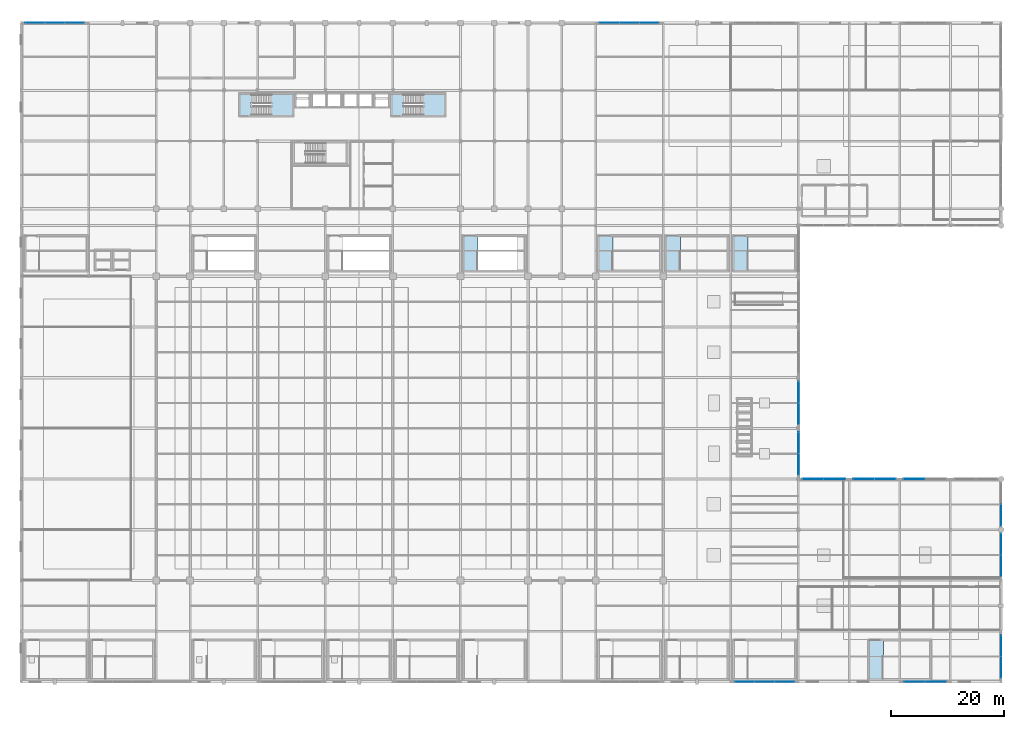
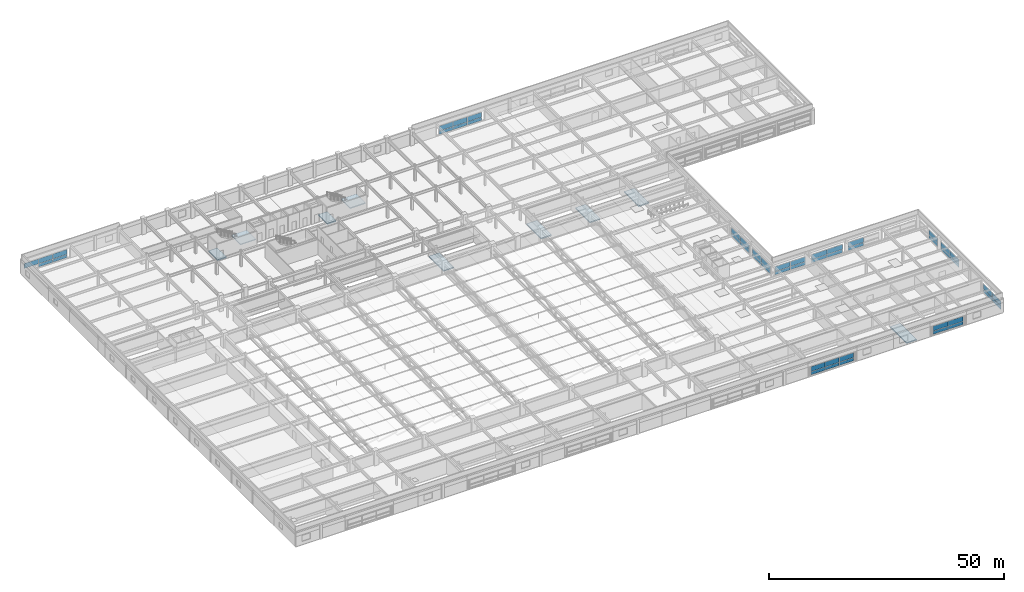
# One storey, part 86 of 108: 49 plates, 9 slabs, 14 elements without a shape of their own.
"""IFC4 building model written with IfcOpenShell, lengths in metres."""

from ifc_helpers import new_model, si_unit, direction, frame, origin, origin_2d, place, context, subcontext, project, spatial, polyline, rectangle, outline, extrude, material, layer, layer_set, type_object, element, aggregate, save


model = new_model("IFC4")

# Units and contexts
model_context = context("Model", 3, precision=1e-05, world=origin(), true_north=direction((0.0, 1.0)))
body_context = subcontext(model_context, "Body", "Model", "MODEL_VIEW")
ifc_project = project(units=[si_unit("LENGTHUNIT", "METRE"), si_unit("AREAUNIT", "SQUARE_METRE"), si_unit("VOLUMEUNIT", "CUBIC_METRE"), si_unit("PLANEANGLEUNIT", "RADIAN"), si_unit("MASSUNIT", "GRAM", prefix="KILO")], contexts=[model_context])

# Site, building, storey
site_placement = place(None, origin())
site = spatial("IfcSite", under=ifc_project, at=site_placement, CompositionType="ELEMENT")
building_placement = place(site_placement, origin())
building = spatial("IfcBuilding", under=site, at=building_placement, Name="Kaldorvane Square Convention Centre", CompositionType="ELEMENT")
storey_placement = place(building_placement, frame((0.0, 0.0, 23.399993896484375)))
storey = spatial("IfcBuildingStorey", under=building, at=storey_placement, Name="L04", CompositionType="ELEMENT", Elevation=23.399993896484375)

# Curtain wall, plates
ifc_material_1 = material(Name="Anodized Aluminum and Low-E Insulated Glazing", Category="aluminium")
curtain_wall_type_1 = type_object("IfcCurtainWallType", Name="CW-UNI-P42-09", PredefinedType="USERDEFINED", material=ifc_material_1)
curtain_wall_1_placement = place(storey_placement, origin())
curtain_wall_1 = element("IfcCurtainWall", 1, at=curtain_wall_1_placement, inside=storey, type_object=curtain_wall_type_1, Name="Curtain Wall CW-06 (L04)", ObjectType="UNITISED GLAZING", PredefinedType="USERDEFINED")
ifc_layer_1 = layer(ifc_material_1, 0.029998779296875)
ifc_layer_set_1 = layer_set([ifc_layer_1], Name="Anodized Aluminum and Low-E Insulated Glazing")
plate_type_1 = type_object("IfcPlateType", Name="CW-PNL-05", PredefinedType="CURTAIN_PANEL", material=ifc_layer_set_1)
plate_1_placement = place(storey_placement, frame((174.0, 2.59124755859375, 0.2100067138671875), z_axis=(0.0, 0.0, 1.0), x_axis=(0.0, 1.0, 0.0)))
plate_1 = element("IfcPlate", 2, at=plate_1_placement, type_object=plate_type_1, Name="CW-06 panel 1.1", PredefinedType="CURTAIN_PANEL", context=body_context, shape_type="SweptSolid", body=[
    extrude(rectangle(XDim=3.75250244140625, YDim=0.029998779296875, at=origin_2d()), origin(), (0.0, 0.0, 1.0), 0.80999755859375),
])
plate_2_placement = place(storey_placement, frame((174.0, 2.59124755859375, 1.08001708984375), z_axis=(0.0, 0.0, 1.0), x_axis=(0.0, 1.0, 0.0)))
plate_2 = element("IfcPlate", 3, at=plate_2_placement, type_object=plate_type_1, Name="CW-06 panel 1.2", PredefinedType="CURTAIN_PANEL", context=body_context, shape_type="SweptSolid", body=[
    extrude(rectangle(XDim=3.75250244140625, YDim=0.029998779296875, at=origin_2d()), origin(), (0.0, 0.0, 1.0), 1.2700042724609375),
])
plate_3_placement = place(storey_placement, frame((174.0, 6.40875244140625, 0.2100067138671875), z_axis=(0.0, 0.0, 1.0), x_axis=(0.0, 1.0, 0.0)))
plate_3 = element("IfcPlate", 4, at=plate_3_placement, type_object=plate_type_1, Name="CW-06 panel 2.1", PredefinedType="CURTAIN_PANEL", context=body_context, shape_type="SweptSolid", body=[
    extrude(rectangle(XDim=3.75250244140625, YDim=0.029998779296875, at=origin_2d()), origin(), (0.0, 0.0, 1.0), 0.80999755859375),
])
plate_4_placement = place(storey_placement, frame((174.0, 6.40875244140625, 1.08001708984375), z_axis=(0.0, 0.0, 1.0), x_axis=(0.0, 1.0, 0.0)))
plate_4 = element("IfcPlate", 5, at=plate_4_placement, type_object=plate_type_1, Name="CW-06 panel 2.2", PredefinedType="CURTAIN_PANEL", context=body_context, shape_type="SweptSolid", body=[
    extrude(rectangle(XDim=3.75250244140625, YDim=0.029998779296875, at=origin_2d()), origin(), (0.0, 0.0, 1.0), 1.2700042724609375),
])
aggregate(curtain_wall_1, [plate_1, plate_2, plate_3, plate_4])

curtain_wall_2_placement = place(storey_placement, origin())
curtain_wall_2 = element("IfcCurtainWall", 6, at=curtain_wall_2_placement, inside=storey, type_object=curtain_wall_type_1, Name="Curtain Wall CW-06 (L04)", ObjectType="UNITISED GLAZING", PredefinedType="USERDEFINED")
plate_5_placement = place(storey_placement, frame((174.0, 20.59124755859375, 0.2100067138671875), z_axis=(0.0, 0.0, 1.0), x_axis=(0.0, 1.0, 0.0)))
plate_5 = element("IfcPlate", 7, at=plate_5_placement, type_object=plate_type_1, Name="CW-06 panel 1.1", PredefinedType="CURTAIN_PANEL", context=body_context, shape_type="SweptSolid", body=[
    extrude(rectangle(XDim=3.75250244140625, YDim=0.029998779296875, at=origin_2d()), origin(), (0.0, 0.0, 1.0), 0.80999755859375),
])
plate_6_placement = place(storey_placement, frame((174.0, 20.59124755859375, 1.08001708984375), z_axis=(0.0, 0.0, 1.0), x_axis=(0.0, 1.0, 0.0)))
plate_6 = element("IfcPlate", 8, at=plate_6_placement, type_object=plate_type_1, Name="CW-06 panel 1.2", PredefinedType="CURTAIN_PANEL", context=body_context, shape_type="SweptSolid", body=[
    extrude(rectangle(XDim=3.75250244140625, YDim=0.029998779296875, at=origin_2d()), origin(), (0.0, 0.0, 1.0), 1.2700042724609375),
])
plate_7_placement = place(storey_placement, frame((174.0, 24.40875244140625, 0.2100067138671875), z_axis=(0.0, 0.0, 1.0), x_axis=(0.0, 1.0, 0.0)))
plate_7 = element("IfcPlate", 9, at=plate_7_placement, type_object=plate_type_1, Name="CW-06 panel 2.1", PredefinedType="CURTAIN_PANEL", context=body_context, shape_type="SweptSolid", body=[
    extrude(rectangle(XDim=3.75250244140625, YDim=0.029998779296875, at=origin_2d()), origin(), (0.0, 0.0, 1.0), 0.80999755859375),
])
plate_8_placement = place(storey_placement, frame((174.0, 24.40875244140625, 1.08001708984375), z_axis=(0.0, 0.0, 1.0), x_axis=(0.0, 1.0, 0.0)))
plate_8 = element("IfcPlate", 10, at=plate_8_placement, type_object=plate_type_1, Name="CW-06 panel 2.2", PredefinedType="CURTAIN_PANEL", context=body_context, shape_type="SweptSolid", body=[
    extrude(rectangle(XDim=3.75250244140625, YDim=0.029998779296875, at=origin_2d()), origin(), (0.0, 0.0, 1.0), 1.2700042724609375),
])
aggregate(curtain_wall_2, [plate_5, plate_6, plate_7, plate_8])

curtain_wall_3_placement = place(storey_placement, origin())
curtain_wall_3 = element("IfcCurtainWall", 11, at=curtain_wall_3_placement, inside=storey, type_object=curtain_wall_type_1, Name="Curtain Wall CW-06 (L04)", ObjectType="UNITISED GLAZING", PredefinedType="USERDEFINED")
plate_9_placement = place(storey_placement, frame((174.0, 29.59124755859375, 0.2100067138671875), z_axis=(0.0, 0.0, 1.0), x_axis=(0.0, 1.0, 0.0)))
plate_9 = element("IfcPlate", 12, at=plate_9_placement, type_object=plate_type_1, Name="CW-06 panel 1.1", PredefinedType="CURTAIN_PANEL", context=body_context, shape_type="SweptSolid", body=[
    extrude(rectangle(XDim=3.75250244140625, YDim=0.029998779296875, at=origin_2d()), origin(), (0.0, 0.0, 1.0), 0.80999755859375),
])
plate_10_placement = place(storey_placement, frame((174.0, 29.59124755859375, 1.08001708984375), z_axis=(0.0, 0.0, 1.0), x_axis=(0.0, 1.0, 0.0)))
plate_10 = element("IfcPlate", 13, at=plate_10_placement, type_object=plate_type_1, Name="CW-06 panel 1.2", PredefinedType="CURTAIN_PANEL", context=body_context, shape_type="SweptSolid", body=[
    extrude(rectangle(XDim=3.75250244140625, YDim=0.029998779296875, at=origin_2d()), origin(), (0.0, 0.0, 1.0), 1.2700042724609375),
])
aggregate(curtain_wall_3, [plate_9, plate_10])

curtain_wall_type_2 = type_object("IfcCurtainWallType", Name="CW-PTS-FC-42", PredefinedType="USERDEFINED", material=ifc_material_1)
curtain_wall_4_placement = place(storey_placement, origin())
curtain_wall_4 = element("IfcCurtainWall", 14, at=curtain_wall_4_placement, inside=storey, type_object=curtain_wall_type_2, Name="Curtain Wall CW-09 (L04)", ObjectType="POINT SUPPORTED GLAZING", PredefinedType="USERDEFINED")
ifc_layer_2 = layer(ifc_material_1, 0.0399932861328125)
ifc_layer_set_2 = layer_set([ifc_layer_2], Name="Anodized Aluminum and Low-E Insulated Glazing")
plate_type_2 = type_object("IfcPlateType", Name="CW-PNL-07", PredefinedType="CURTAIN_PANEL", material=ifc_layer_set_2)
plate_11_placement = place(storey_placement, frame((144.40625, 36.0, 0.214996337890625), z_axis=(0.0, 0.0, 1.0), x_axis=(-1.0, 0.0, 0.0)))
plate_11 = element("IfcPlate", 15, at=plate_11_placement, type_object=plate_type_2, Name="CW-09 panel 1.1", PredefinedType="CURTAIN_PANEL", context=body_context, shape_type="SweptSolid", body=[
    extrude(rectangle(XDim=3.7375030517578125, YDim=0.0399932861328125, at=origin_2d()), origin(), (0.0, 0.0, 1.0), 0.8025054931640625),
])
plate_12_placement = place(storey_placement, frame((144.40625, 36.0, 1.08251953125), z_axis=(0.0, 0.0, 1.0), x_axis=(-1.0, 0.0, 0.0)))
plate_12 = element("IfcPlate", 16, at=plate_12_placement, type_object=plate_type_2, Name="CW-09 panel 1.2", PredefinedType="CURTAIN_PANEL", context=body_context, shape_type="SweptSolid", body=[
    extrude(rectangle(XDim=3.7375030517578125, YDim=0.0399932861328125, at=origin_2d()), origin(), (0.0, 0.0, 1.0), 1.2624969482421875),
])
plate_13_placement = place(storey_placement, frame((140.59375, 36.0, 0.214996337890625), z_axis=(0.0, 0.0, 1.0), x_axis=(-1.0, 0.0, 0.0)))
plate_13 = element("IfcPlate", 17, at=plate_13_placement, type_object=plate_type_2, Name="CW-09 panel 2.1", PredefinedType="CURTAIN_PANEL", context=body_context, shape_type="SweptSolid", body=[
    extrude(rectangle(XDim=3.7375030517578125, YDim=0.0399932861328125, at=origin_2d()), origin(), (0.0, 0.0, 1.0), 0.8025054931640625),
])
plate_14_placement = place(storey_placement, frame((140.59375, 36.0, 1.08251953125), z_axis=(0.0, 0.0, 1.0), x_axis=(-1.0, 0.0, 0.0)))
plate_14 = element("IfcPlate", 18, at=plate_14_placement, type_object=plate_type_2, Name="CW-09 panel 2.2", PredefinedType="CURTAIN_PANEL", context=body_context, shape_type="SweptSolid", body=[
    extrude(rectangle(XDim=3.7375030517578125, YDim=0.0399932861328125, at=origin_2d()), origin(), (0.0, 0.0, 1.0), 1.2624969482421875),
])
aggregate(curtain_wall_4, [plate_11, plate_12, plate_13, plate_14])

curtain_wall_5_placement = place(storey_placement, origin())
curtain_wall_5 = element("IfcCurtainWall", 19, at=curtain_wall_5_placement, inside=storey, type_object=curtain_wall_type_2, Name="Curtain Wall CW-09 (L04)", ObjectType="POINT SUPPORTED GLAZING", PredefinedType="USERDEFINED")
plate_15_placement = place(storey_placement, frame((153.40625, 36.0, 0.214996337890625), z_axis=(0.0, 0.0, 1.0), x_axis=(-1.0, 0.0, 0.0)))
plate_15 = element("IfcPlate", 20, at=plate_15_placement, type_object=plate_type_2, Name="CW-09 panel 1.1", PredefinedType="CURTAIN_PANEL", context=body_context, shape_type="SweptSolid", body=[
    extrude(rectangle(XDim=3.7375030517578125, YDim=0.0399932861328125, at=origin_2d()), origin(), (0.0, 0.0, 1.0), 0.8025054931640625),
])
plate_16_placement = place(storey_placement, frame((153.40625, 36.0, 1.08251953125), z_axis=(0.0, 0.0, 1.0), x_axis=(-1.0, 0.0, 0.0)))
plate_16 = element("IfcPlate", 21, at=plate_16_placement, type_object=plate_type_2, Name="CW-09 panel 1.2", PredefinedType="CURTAIN_PANEL", context=body_context, shape_type="SweptSolid", body=[
    extrude(rectangle(XDim=3.7375030517578125, YDim=0.0399932861328125, at=origin_2d()), origin(), (0.0, 0.0, 1.0), 1.2624969482421875),
])
plate_17_placement = place(storey_placement, frame((149.59375, 36.0, 0.214996337890625), z_axis=(0.0, 0.0, 1.0), x_axis=(-1.0, 0.0, 0.0)))
plate_17 = element("IfcPlate", 22, at=plate_17_placement, type_object=plate_type_2, Name="CW-09 panel 2.1", PredefinedType="CURTAIN_PANEL", context=body_context, shape_type="SweptSolid", body=[
    extrude(rectangle(XDim=3.7375030517578125, YDim=0.0399932861328125, at=origin_2d()), origin(), (0.0, 0.0, 1.0), 0.8025054931640625),
])
plate_18_placement = place(storey_placement, frame((149.59375, 36.0, 1.08251953125), z_axis=(0.0, 0.0, 1.0), x_axis=(-1.0, 0.0, 0.0)))
plate_18 = element("IfcPlate", 23, at=plate_18_placement, type_object=plate_type_2, Name="CW-09 panel 2.2", PredefinedType="CURTAIN_PANEL", context=body_context, shape_type="SweptSolid", body=[
    extrude(rectangle(XDim=3.7375030517578125, YDim=0.0399932861328125, at=origin_2d()), origin(), (0.0, 0.0, 1.0), 1.2624969482421875),
])
aggregate(curtain_wall_5, [plate_15, plate_16, plate_17, plate_18])

curtain_wall_6_placement = place(storey_placement, origin())
curtain_wall_6 = element("IfcCurtainWall", 24, at=curtain_wall_6_placement, inside=storey, type_object=curtain_wall_type_2, Name="Curtain Wall CW-09 (L04)", ObjectType="POINT SUPPORTED GLAZING", PredefinedType="USERDEFINED")
plate_19_placement = place(storey_placement, frame((158.59375, 36.0, 0.214996337890625), z_axis=(0.0, 0.0, 1.0), x_axis=(-1.0, 0.0, 0.0)))
plate_19 = element("IfcPlate", 25, at=plate_19_placement, type_object=plate_type_2, Name="CW-09 panel 2.1", PredefinedType="CURTAIN_PANEL", context=body_context, shape_type="SweptSolid", body=[
    extrude(rectangle(XDim=3.7375030517578125, YDim=0.0399932861328125, at=origin_2d()), origin(), (0.0, 0.0, 1.0), 0.8025054931640625),
])
plate_20_placement = place(storey_placement, frame((158.59375, 36.0, 1.08251953125), z_axis=(0.0, 0.0, 1.0), x_axis=(-1.0, 0.0, 0.0)))
plate_20 = element("IfcPlate", 26, at=plate_20_placement, type_object=plate_type_2, Name="CW-09 panel 2.2", PredefinedType="CURTAIN_PANEL", context=body_context, shape_type="SweptSolid", body=[
    extrude(rectangle(XDim=3.7375030517578125, YDim=0.0399932861328125, at=origin_2d()), origin(), (0.0, 0.0, 1.0), 1.2624969482421875),
])
aggregate(curtain_wall_6, [plate_19, plate_20])

curtain_wall_7_placement = place(storey_placement, origin())
curtain_wall_7 = element("IfcCurtainWall", 27, at=curtain_wall_7_placement, inside=storey, type_object=curtain_wall_type_2, Name="Curtain Wall CW-09 (L04)", ObjectType="POINT SUPPORTED GLAZING", PredefinedType="USERDEFINED")
plate_21_placement = place(storey_placement, frame((138.0, 38.59375, 0.214996337890625), z_axis=(0.0, 0.0, 1.0), x_axis=(0.0, 1.0, 0.0)))
plate_21 = element("IfcPlate", 28, at=plate_21_placement, type_object=plate_type_2, Name="CW-09 panel 1.1", PredefinedType="CURTAIN_PANEL", context=body_context, shape_type="SweptSolid", body=[
    extrude(rectangle(XDim=3.7375030517578125, YDim=0.0399932861328125, at=origin_2d()), origin(), (0.0, 0.0, 1.0), 0.8025054931640625),
])
plate_22_placement = place(storey_placement, frame((138.0, 38.59375, 1.08251953125), z_axis=(0.0, 0.0, 1.0), x_axis=(0.0, 1.0, 0.0)))
plate_22 = element("IfcPlate", 29, at=plate_22_placement, type_object=plate_type_2, Name="CW-09 panel 1.2", PredefinedType="CURTAIN_PANEL", context=body_context, shape_type="SweptSolid", body=[
    extrude(rectangle(XDim=3.7375030517578125, YDim=0.0399932861328125, at=origin_2d()), origin(), (0.0, 0.0, 1.0), 1.2624969482421875),
])
plate_23_placement = place(storey_placement, frame((138.0, 42.40625, 0.214996337890625), z_axis=(0.0, 0.0, 1.0), x_axis=(0.0, 1.0, 0.0)))
plate_23 = element("IfcPlate", 30, at=plate_23_placement, type_object=plate_type_2, Name="CW-09 panel 2.1", PredefinedType="CURTAIN_PANEL", context=body_context, shape_type="SweptSolid", body=[
    extrude(rectangle(XDim=3.7375030517578125, YDim=0.0399932861328125, at=origin_2d()), origin(), (0.0, 0.0, 1.0), 0.8025054931640625),
])
plate_24_placement = place(storey_placement, frame((138.0, 42.40625, 1.08251953125), z_axis=(0.0, 0.0, 1.0), x_axis=(0.0, 1.0, 0.0)))
plate_24 = element("IfcPlate", 31, at=plate_24_placement, type_object=plate_type_2, Name="CW-09 panel 2.2", PredefinedType="CURTAIN_PANEL", context=body_context, shape_type="SweptSolid", body=[
    extrude(rectangle(XDim=3.7375030517578125, YDim=0.0399932861328125, at=origin_2d()), origin(), (0.0, 0.0, 1.0), 1.2624969482421875),
])
aggregate(curtain_wall_7, [plate_21, plate_22, plate_23, plate_24])

curtain_wall_8_placement = place(storey_placement, origin())
curtain_wall_8 = element("IfcCurtainWall", 32, at=curtain_wall_8_placement, inside=storey, type_object=curtain_wall_type_2, Name="Curtain Wall CW-09 (L04)", ObjectType="POINT SUPPORTED GLAZING", PredefinedType="USERDEFINED")
plate_25_placement = place(storey_placement, frame((138.0, 47.59375, 0.214996337890625), z_axis=(0.0, 0.0, 1.0), x_axis=(0.0, 1.0, 0.0)))
plate_25 = element("IfcPlate", 33, at=plate_25_placement, type_object=plate_type_2, Name="CW-09 panel 1.1", PredefinedType="CURTAIN_PANEL", context=body_context, shape_type="SweptSolid", body=[
    extrude(rectangle(XDim=3.7375030517578125, YDim=0.0399932861328125, at=origin_2d()), origin(), (0.0, 0.0, 1.0), 0.8025054931640625),
])
plate_26_placement = place(storey_placement, frame((138.0, 47.59375, 1.08251953125), z_axis=(0.0, 0.0, 1.0), x_axis=(0.0, 1.0, 0.0)))
plate_26 = element("IfcPlate", 34, at=plate_26_placement, type_object=plate_type_2, Name="CW-09 panel 1.2", PredefinedType="CURTAIN_PANEL", context=body_context, shape_type="SweptSolid", body=[
    extrude(rectangle(XDim=3.7375030517578125, YDim=0.0399932861328125, at=origin_2d()), origin(), (0.0, 0.0, 1.0), 1.2624969482421875),
])
plate_27_placement = place(storey_placement, frame((138.0, 51.40625, 0.214996337890625), z_axis=(0.0, 0.0, 1.0), x_axis=(0.0, 1.0, 0.0)))
plate_27 = element("IfcPlate", 35, at=plate_27_placement, type_object=plate_type_2, Name="CW-09 panel 2.1", PredefinedType="CURTAIN_PANEL", context=body_context, shape_type="SweptSolid", body=[
    extrude(rectangle(XDim=3.7375030517578125, YDim=0.0399932861328125, at=origin_2d()), origin(), (0.0, 0.0, 1.0), 0.8025054931640625),
])
plate_28_placement = place(storey_placement, frame((138.0, 51.40625, 1.08251953125), z_axis=(0.0, 0.0, 1.0), x_axis=(0.0, 1.0, 0.0)))
plate_28 = element("IfcPlate", 36, at=plate_28_placement, type_object=plate_type_2, Name="CW-09 panel 2.2", PredefinedType="CURTAIN_PANEL", context=body_context, shape_type="SweptSolid", body=[
    extrude(rectangle(XDim=3.7375030517578125, YDim=0.0399932861328125, at=origin_2d()), origin(), (0.0, 0.0, 1.0), 1.2624969482421875),
])
aggregate(curtain_wall_8, [plate_25, plate_26, plate_27, plate_28])

curtain_wall_type_3 = type_object("IfcCurtainWallType", Name="CW-UNI-P42-12", PredefinedType="USERDEFINED", material=ifc_material_1)
curtain_wall_9_placement = place(storey_placement, origin())
curtain_wall_9 = element("IfcCurtainWall", 37, at=curtain_wall_9_placement, inside=storey, type_object=curtain_wall_type_3, Name="Curtain Wall CW-05 (L04)", ObjectType="UNITISED GLAZING", PredefinedType="USERDEFINED")
ifc_layer_3 = layer(ifc_material_1, 0.0260009765625)
ifc_layer_set_3 = layer_set([ifc_layer_3], Name="Anodized Aluminum and Low-E Insulated Glazing")
plate_type_3 = type_object("IfcPlateType", Name="CW-PNL-09", PredefinedType="CURTAIN_PANEL", material=ifc_layer_set_3)
plate_29_placement = place(storey_placement, frame((128.48541259765625, 0.0, 0.214996337890625), z_axis=(0.0, 0.0, 1.0), x_axis=(1.0, 0.0, 0.0)))
plate_29 = element("IfcPlate", 38, at=plate_29_placement, type_object=plate_type_3, Name="CW-05 panel 1.1", PredefinedType="CURTAIN_PANEL", context=body_context, shape_type="SweptSolid", body=[
    extrude(rectangle(XDim=3.42083740234375, YDim=0.0260009765625, at=origin_2d()), origin(), (0.0, 0.0, 1.0), 0.8025054931640625),
])
plate_30_placement = place(storey_placement, frame((128.48541259765625, 0.0, 1.08251953125), z_axis=(0.0, 0.0, 1.0), x_axis=(1.0, 0.0, 0.0)))
plate_30 = element("IfcPlate", 39, at=plate_30_placement, type_object=plate_type_3, Name="CW-05 panel 1.2", PredefinedType="CURTAIN_PANEL", context=body_context, shape_type="SweptSolid", body=[
    extrude(rectangle(XDim=3.42083740234375, YDim=0.0260009765625, at=origin_2d()), origin(), (0.0, 0.0, 1.0), 1.2624969482421875),
])
plate_31_placement = place(storey_placement, frame((132.0, 0.0, 0.214996337890625), z_axis=(0.0, 0.0, 1.0), x_axis=(1.0, 0.0, 0.0)))
plate_31 = element("IfcPlate", 40, at=plate_31_placement, type_object=plate_type_3, Name="CW-05 panel 2.1", PredefinedType="CURTAIN_PANEL", context=body_context, shape_type="SweptSolid", body=[
    extrude(rectangle(XDim=3.4583282470703125, YDim=0.0260009765625, at=origin_2d()), origin(), (0.0, 0.0, 1.0), 0.8025054931640625),
])
plate_32_placement = place(storey_placement, frame((132.0, 0.0, 1.08251953125), z_axis=(0.0, 0.0, 1.0), x_axis=(1.0, 0.0, 0.0)))
plate_32 = element("IfcPlate", 41, at=plate_32_placement, type_object=plate_type_3, Name="CW-05 panel 2.2", PredefinedType="CURTAIN_PANEL", context=body_context, shape_type="SweptSolid", body=[
    extrude(rectangle(XDim=3.4583282470703125, YDim=0.0260009765625, at=origin_2d()), origin(), (0.0, 0.0, 1.0), 1.2624969482421875),
])
plate_33_placement = place(storey_placement, frame((135.51458740234375, 0.0, 0.214996337890625), z_axis=(0.0, 0.0, 1.0), x_axis=(1.0, 0.0, 0.0)))
plate_33 = element("IfcPlate", 42, at=plate_33_placement, type_object=plate_type_3, Name="CW-05 panel 3.1", PredefinedType="CURTAIN_PANEL", context=body_context, shape_type="SweptSolid", body=[
    extrude(rectangle(XDim=3.42083740234375, YDim=0.0260009765625, at=origin_2d()), origin(), (0.0, 0.0, 1.0), 0.8025054931640625),
])
plate_34_placement = place(storey_placement, frame((135.51458740234375, 0.0, 1.08251953125), z_axis=(0.0, 0.0, 1.0), x_axis=(1.0, 0.0, 0.0)))
plate_34 = element("IfcPlate", 43, at=plate_34_placement, type_object=plate_type_3, Name="CW-05 panel 3.2", PredefinedType="CURTAIN_PANEL", context=body_context, shape_type="SweptSolid", body=[
    extrude(rectangle(XDim=3.42083740234375, YDim=0.0260009765625, at=origin_2d()), origin(), (0.0, 0.0, 1.0), 1.2624969482421875),
])
aggregate(curtain_wall_9, [plate_29, plate_30, plate_31, plate_32, plate_33, plate_34])

curtain_wall_10_placement = place(storey_placement, origin())
curtain_wall_10 = element("IfcCurtainWall", 44, at=curtain_wall_10_placement, inside=storey, type_object=curtain_wall_type_3, Name="Curtain Wall CW-05 (L04)", ObjectType="UNITISED GLAZING", PredefinedType="USERDEFINED")
plate_35_placement = place(storey_placement, frame((158.61874389648438, 0.0, 0.214996337890625), z_axis=(0.0, 0.0, 1.0), x_axis=(1.0, 0.0, 0.0)))
plate_35 = element("IfcPlate", 45, at=plate_35_placement, type_object=plate_type_3, Name="CW-05 panel 1.1", PredefinedType="CURTAIN_PANEL", context=body_context, shape_type="SweptSolid", body=[
    extrude(rectangle(XDim=3.6875, YDim=0.0260009765625, at=origin_2d()), origin(), (0.0, 0.0, 1.0), 0.8025054931640625),
])
plate_36_placement = place(storey_placement, frame((158.61874389648438, 0.0, 1.08251953125), z_axis=(0.0, 0.0, 1.0), x_axis=(1.0, 0.0, 0.0)))
plate_36 = element("IfcPlate", 46, at=plate_36_placement, type_object=plate_type_3, Name="CW-05 panel 1.2", PredefinedType="CURTAIN_PANEL", context=body_context, shape_type="SweptSolid", body=[
    extrude(rectangle(XDim=3.6875, YDim=0.0260009765625, at=origin_2d()), origin(), (0.0, 0.0, 1.0), 1.2624969482421875),
])
plate_37_placement = place(storey_placement, frame((162.38125610351562, 0.0, 0.214996337890625), z_axis=(0.0, 0.0, 1.0), x_axis=(1.0, 0.0, 0.0)))
plate_37 = element("IfcPlate", 47, at=plate_37_placement, type_object=plate_type_3, Name="CW-05 panel 2.1", PredefinedType="CURTAIN_PANEL", context=body_context, shape_type="SweptSolid", body=[
    extrude(rectangle(XDim=3.6875, YDim=0.0260009765625, at=origin_2d()), origin(), (0.0, 0.0, 1.0), 0.8025054931640625),
])
plate_38_placement = place(storey_placement, frame((162.38125610351562, 0.0, 1.08251953125), z_axis=(0.0, 0.0, 1.0), x_axis=(1.0, 0.0, 0.0)))
plate_38 = element("IfcPlate", 48, at=plate_38_placement, type_object=plate_type_3, Name="CW-05 panel 2.2", PredefinedType="CURTAIN_PANEL", context=body_context, shape_type="SweptSolid", body=[
    extrude(rectangle(XDim=3.6875, YDim=0.0260009765625, at=origin_2d()), origin(), (0.0, 0.0, 1.0), 1.2624969482421875),
])
aggregate(curtain_wall_10, [plate_35, plate_36, plate_37, plate_38])

curtain_wall_11_placement = place(storey_placement, origin())
curtain_wall_11 = element("IfcCurtainWall", 49, at=curtain_wall_11_placement, inside=storey, type_object=curtain_wall_type_1, Name="Curtain Wall CW-06 (L04)", ObjectType="UNITISED GLAZING", PredefinedType="USERDEFINED")
ifc_layer_4 = layer(ifc_material_1, 0.04400634765625)
ifc_layer_set_4 = layer_set([ifc_layer_4], Name="Anodized Aluminum and Low-E Insulated Glazing")
plate_type_4 = type_object("IfcPlateType", Name="CW-PNL-10", PredefinedType="CURTAIN_PANEL", material=ifc_layer_set_4)
plate_39_placement = place(storey_placement, frame((9.51708984375, 117.0, 0.2100067138671875), z_axis=(0.0, 0.0, 1.0), x_axis=(-1.0, 0.0, 0.0)))
plate_39 = element("IfcPlate", 50, at=plate_39_placement, type_object=plate_type_4, Name="CW-06 panel 1.1", PredefinedType="CURTAIN_PANEL", context=body_context, shape_type="SweptSolid", body=[
    extrude(rectangle(XDim=3.4358367919921875, YDim=0.04400634765625, at=origin_2d()), origin(), (0.0, 0.0, 1.0), 0.80999755859375),
])
plate_40_placement = place(storey_placement, frame((9.51708984375, 117.0, 1.08001708984375), z_axis=(0.0, 0.0, 1.0), x_axis=(-1.0, 0.0, 0.0)))
plate_40 = element("IfcPlate", 51, at=plate_40_placement, type_object=plate_type_4, Name="CW-06 panel 1.2", PredefinedType="CURTAIN_PANEL", context=body_context, shape_type="SweptSolid", body=[
    extrude(rectangle(XDim=3.4358367919921875, YDim=0.04400634765625, at=origin_2d()), origin(), (0.0, 0.0, 1.0), 1.2700042724609375),
])
plate_41_placement = place(storey_placement, frame((6.0, 117.0, 0.2100067138671875), z_axis=(0.0, 0.0, 1.0), x_axis=(-1.0, 0.0, 0.0)))
plate_41 = element("IfcPlate", 52, at=plate_41_placement, type_object=plate_type_4, Name="CW-06 panel 2.1", PredefinedType="CURTAIN_PANEL", context=body_context, shape_type="SweptSolid", body=[
    extrude(rectangle(XDim=3.4683380126953125, YDim=0.04400634765625, at=origin_2d()), origin(), (0.0, 0.0, 1.0), 0.80999755859375),
])
plate_42_placement = place(storey_placement, frame((6.0, 117.0, 1.08001708984375), z_axis=(0.0, 0.0, 1.0), x_axis=(-1.0, 0.0, 0.0)))
plate_42 = element("IfcPlate", 53, at=plate_42_placement, type_object=plate_type_4, Name="CW-06 panel 2.2", PredefinedType="CURTAIN_PANEL", context=body_context, shape_type="SweptSolid", body=[
    extrude(rectangle(XDim=3.4683380126953125, YDim=0.04400634765625, at=origin_2d()), origin(), (0.0, 0.0, 1.0), 1.2700042724609375),
])
plate_43_placement = place(storey_placement, frame((2.48291015625, 117.0, 1.08001708984375), z_axis=(0.0, 0.0, 1.0), x_axis=(-1.0, 0.0, 0.0)))
plate_43 = element("IfcPlate", 54, at=plate_43_placement, type_object=plate_type_4, Name="CW-06 panel 3.2", PredefinedType="CURTAIN_PANEL", context=body_context, shape_type="SweptSolid", body=[
    extrude(rectangle(XDim=3.4358367919921875, YDim=0.04400634765625, at=origin_2d()), origin(), (0.0, 0.0, 1.0), 1.2700042724609375),
])
aggregate(curtain_wall_11, [plate_39, plate_40, plate_41, plate_42, plate_43])

curtain_wall_12_placement = place(storey_placement, origin())
curtain_wall_12 = element("IfcCurtainWall", 55, at=curtain_wall_12_placement, inside=storey, type_object=curtain_wall_type_1, Name="Curtain Wall CW-06 (L04)", ObjectType="UNITISED GLAZING", PredefinedType="USERDEFINED")
plate_44_placement = place(storey_placement, frame((111.51708984375, 117.0, 0.2100067138671875), z_axis=(0.0, 0.0, 1.0), x_axis=(-1.0, 0.0, 0.0)))
plate_44 = element("IfcPlate", 56, at=plate_44_placement, type_object=plate_type_4, Name="CW-06 panel 1.1", PredefinedType="CURTAIN_PANEL", context=body_context, shape_type="SweptSolid", body=[
    extrude(rectangle(XDim=3.4358367919921875, YDim=0.04400634765625, at=origin_2d()), origin(), (0.0, 0.0, 1.0), 0.80999755859375),
])
plate_45_placement = place(storey_placement, frame((111.51708984375, 117.0, 1.08001708984375), z_axis=(0.0, 0.0, 1.0), x_axis=(-1.0, 0.0, 0.0)))
plate_45 = element("IfcPlate", 57, at=plate_45_placement, type_object=plate_type_4, Name="CW-06 panel 1.2", PredefinedType="CURTAIN_PANEL", context=body_context, shape_type="SweptSolid", body=[
    extrude(rectangle(XDim=3.4358367919921875, YDim=0.04400634765625, at=origin_2d()), origin(), (0.0, 0.0, 1.0), 1.2700042724609375),
])
plate_46_placement = place(storey_placement, frame((108.0, 117.0, 0.2100067138671875), z_axis=(0.0, 0.0, 1.0), x_axis=(-1.0, 0.0, 0.0)))
plate_46 = element("IfcPlate", 58, at=plate_46_placement, type_object=plate_type_4, Name="CW-06 panel 2.1", PredefinedType="CURTAIN_PANEL", context=body_context, shape_type="SweptSolid", body=[
    extrude(rectangle(XDim=3.4683380126953125, YDim=0.04400634765625, at=origin_2d()), origin(), (0.0, 0.0, 1.0), 0.80999755859375),
])
plate_47_placement = place(storey_placement, frame((108.0, 117.0, 1.08001708984375), z_axis=(0.0, 0.0, 1.0), x_axis=(-1.0, 0.0, 0.0)))
plate_47 = element("IfcPlate", 59, at=plate_47_placement, type_object=plate_type_4, Name="CW-06 panel 2.2", PredefinedType="CURTAIN_PANEL", context=body_context, shape_type="SweptSolid", body=[
    extrude(rectangle(XDim=3.4683380126953125, YDim=0.04400634765625, at=origin_2d()), origin(), (0.0, 0.0, 1.0), 1.2700042724609375),
])
plate_48_placement = place(storey_placement, frame((104.48291015625, 117.0, 0.2100067138671875), z_axis=(0.0, 0.0, 1.0), x_axis=(-1.0, 0.0, 0.0)))
plate_48 = element("IfcPlate", 60, at=plate_48_placement, type_object=plate_type_4, Name="CW-06 panel 3.1", PredefinedType="CURTAIN_PANEL", context=body_context, shape_type="SweptSolid", body=[
    extrude(rectangle(XDim=3.4358367919921875, YDim=0.04400634765625, at=origin_2d()), origin(), (0.0, 0.0, 1.0), 0.80999755859375),
])
plate_49_placement = place(storey_placement, frame((104.48291015625, 117.0, 1.08001708984375), z_axis=(0.0, 0.0, 1.0), x_axis=(-1.0, 0.0, 0.0)))
plate_49 = element("IfcPlate", 61, at=plate_49_placement, type_object=plate_type_4, Name="CW-06 panel 3.2", PredefinedType="CURTAIN_PANEL", context=body_context, shape_type="SweptSolid", body=[
    extrude(rectangle(XDim=3.4358367919921875, YDim=0.04400634765625, at=origin_2d()), origin(), (0.0, 0.0, 1.0), 1.2700042724609375),
])
aggregate(curtain_wall_12, [plate_44, plate_45, plate_46, plate_47, plate_48, plate_49])

# Slabs
ifc_material_2 = material(Name="Concrete f'c = 42 MPa (Normalweight)", Category="concrete")
ifc_layer_5 = layer(ifc_material_2, 0.279998779296875)
ifc_layer_set_5 = layer_set([ifc_layer_5], Name="Concrete f'c = 42 MPa (Normalweight)")
slab_type_1 = type_object("IfcSlabType", Name="SL-FLND-280", PredefinedType="FLOOR", material=ifc_layer_set_5)
slab_1_placement = place(storey_placement, frame((0.0, 0.0, -0.279998779296875)))
element("IfcSlab", 62, at=slab_1_placement, inside=storey, type_object=slab_type_1, Name="Tower Exit Stair T1 Floor Landing (L04)", PredefinedType="FLOOR", context=body_context, shape_type="SweptSolid", body=[
    extrude(outline(polyline([(38.779998779296875, 100.49000549316406), (40.97999572753906, 100.49000549316406), (40.97999572753906, 104.3699951171875), (38.779998779296875, 104.3699951171875), (38.779998779296875, 100.49000549316406)])), origin(), (0.0, 0.0, 1.0), 0.279998779296875),
])
slab_2_placement = place(storey_placement, frame((0.0, 0.0, -0.279998779296875)))
element("IfcSlab", 63, at=slab_2_placement, inside=storey, type_object=slab_type_1, Name="Tower Exit Stair T2 Floor Landing (L04)", PredefinedType="FLOOR", context=body_context, shape_type="SweptSolid", body=[
    extrude(outline(polyline([(65.77999877929688, 100.49000549316406), (67.97999572753906, 100.49000549316406), (67.97999572753906, 104.3699951171875), (65.77999877929688, 104.3699951171875), (65.77999877929688, 100.49000549316406)])), origin(), (0.0, 0.0, 1.0), 0.279998779296875),
])
slab_3_placement = place(storey_placement, frame((0.0, 0.0, -0.279998779296875)))
element("IfcSlab", 64, at=slab_3_placement, inside=storey, type_object=slab_type_1, Name="Convention Exit Stair C11 Floor Landing (L04)", PredefinedType="FLOOR", context=body_context, shape_type="SweptSolid", body=[
    extrude(outline(polyline([(150.52000427246094, 0.42999267578125), (153.07000732421875, 0.42999267578125), (153.07000732421875, 7.3800048828125), (150.52000427246094, 7.3800048828125), (150.52000427246094, 0.42999267578125)])), origin(), (0.0, 0.0, 1.0), 0.279998779296875),
])
slab_4_placement = place(storey_placement, frame((0.0, 0.0, -0.279998779296875)))
element("IfcSlab", 65, at=slab_4_placement, inside=storey, type_object=slab_type_1, Name="Convention Exit Stair C15 Floor Landing (L04)", PredefinedType="FLOOR", context=body_context, shape_type="SweptSolid", body=[
    extrude(outline(polyline([(78.52000427246094, 72.97999572753906), (81.07000732421875, 72.97999572753906), (81.07000732421875, 79.17999267578125), (78.52000427246094, 79.17999267578125), (78.52000427246094, 72.97999572753906)])), origin(), (0.0, 0.0, 1.0), 0.279998779296875),
])
slab_5_placement = place(storey_placement, frame((0.0, 0.0, -0.279998779296875)))
element("IfcSlab", 66, at=slab_5_placement, inside=storey, type_object=slab_type_1, Name="Convention Exit Stair C16 Floor Landing (L04)", PredefinedType="FLOOR", context=body_context, shape_type="SweptSolid", body=[
    extrude(outline(polyline([(102.52000427246094, 72.97999572753906), (105.07000732421875, 72.97999572753906), (105.07000732421875, 79.17999267578125), (102.52000427246094, 79.17999267578125), (102.52000427246094, 72.97999572753906)])), origin(), (0.0, 0.0, 1.0), 0.279998779296875),
])
slab_6_placement = place(storey_placement, frame((0.0, 0.0, -0.279998779296875)))
element("IfcSlab", 67, at=slab_6_placement, inside=storey, type_object=slab_type_1, Name="Convention Exit Stair C17 Floor Landing (L04)", PredefinedType="FLOOR", context=body_context, shape_type="SweptSolid", body=[
    extrude(outline(polyline([(114.52000427246094, 72.97999572753906), (117.07000732421875, 72.97999572753906), (117.07000732421875, 79.17999267578125), (114.52000427246094, 79.17999267578125), (114.52000427246094, 72.97999572753906)])), origin(), (0.0, 0.0, 1.0), 0.279998779296875),
])
slab_7_placement = place(storey_placement, frame((0.0, 0.0, -0.279998779296875)))
element("IfcSlab", 68, at=slab_7_placement, inside=storey, type_object=slab_type_1, Name="Convention Exit Stair C18 Floor Landing (L04)", PredefinedType="FLOOR", context=body_context, shape_type="SweptSolid", body=[
    extrude(outline(polyline([(126.52000427246094, 72.97999572753906), (129.07000732421875, 72.97999572753906), (129.07000732421875, 79.17999267578125), (126.52000427246094, 79.17999267578125), (126.52000427246094, 72.97999572753906)])), origin(), (0.0, 0.0, 1.0), 0.279998779296875),
])

# Stair, slab
stair_type = type_object("IfcStairType", Name="ST-DL-1600-4200", PredefinedType="HALF_TURN_STAIR", material=ifc_material_2)
stair_1_placement = place(storey_placement, origin())
stair_1 = element("IfcStair", 69, at=stair_1_placement, inside=storey, type_object=stair_type, Name="Tower Exit Stair T1 (L04)", PredefinedType="HALF_TURN_STAIR")
ifc_layer_6 = layer(ifc_material_2, 0.2400054931640625)
ifc_layer_set_6 = layer_set([ifc_layer_6], Name="Concrete f'c = 42 MPa (Normalweight)")
slab_type_2 = type_object("IfcSlabType", Name="SL-LAND-240", PredefinedType="LANDING", material=ifc_layer_set_6)
slab_8_placement = place(storey_placement, frame((0.0, 0.0, 1.8600006103515625)))
slab_8 = element("IfcSlab", 70, at=slab_8_placement, type_object=slab_type_2, Name="Tower Exit Stair T1 Half Landing (L04)", PredefinedType="LANDING", context=body_context, shape_type="SweptSolid", body=[
    extrude(outline(polyline([(44.41999816894531, 100.49000549316406), (48.220001220703125, 100.49000549316406), (48.220001220703125, 104.3699951171875), (44.41999816894531, 104.3699951171875), (44.41999816894531, 100.49000549316406)])), origin(), (0.0, 0.0, 1.0), 0.2400054931640625),
])
aggregate(stair_1, [slab_8])

stair_2_placement = place(storey_placement, origin())
stair_2 = element("IfcStair", 71, at=stair_2_placement, inside=storey, type_object=stair_type, Name="Tower Exit Stair T2 (L04)", PredefinedType="HALF_TURN_STAIR")
slab_9_placement = place(storey_placement, frame((0.0, 0.0, 1.8600006103515625)))
slab_9 = element("IfcSlab", 72, at=slab_9_placement, type_object=slab_type_2, Name="Tower Exit Stair T2 Half Landing (L04)", PredefinedType="LANDING", context=body_context, shape_type="SweptSolid", body=[
    extrude(outline(polyline([(71.41999816894531, 100.49000549316406), (75.22000122070312, 100.49000549316406), (75.22000122070312, 104.3699951171875), (71.41999816894531, 104.3699951171875), (71.41999816894531, 100.49000549316406)])), origin(), (0.0, 0.0, 1.0), 0.2400054931640625),
])
aggregate(stair_2, [slab_9])

save(model, "model.ifc")
